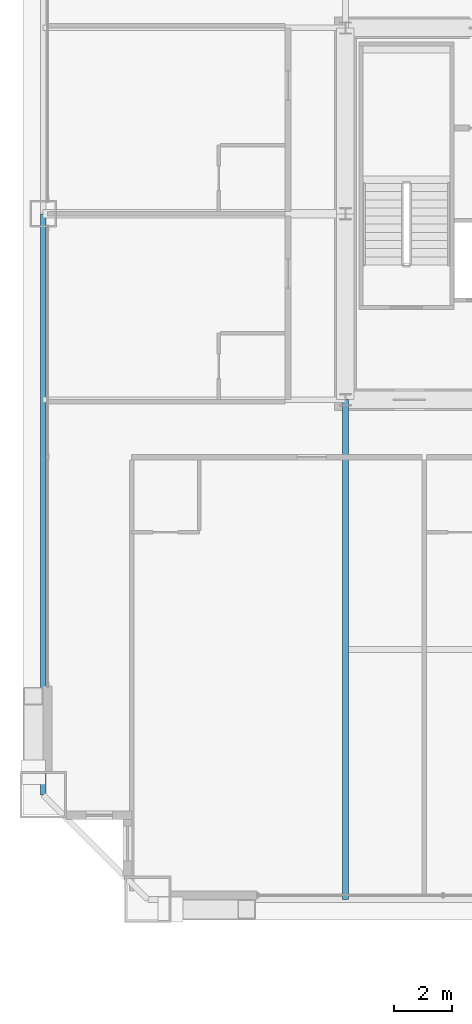
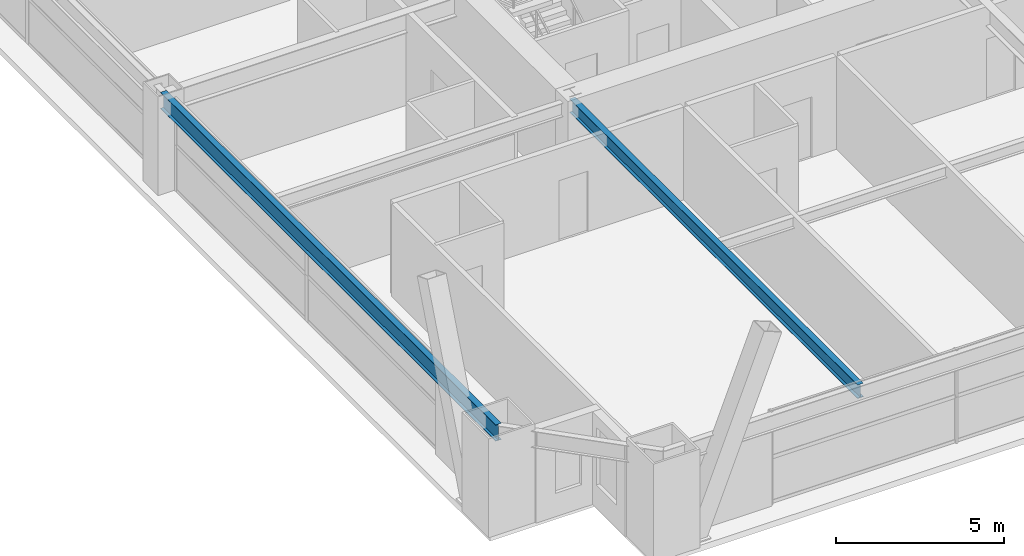
# One storey, part 8 of 43: 2 beams.
"""IFC4 building model written with IfcOpenShell, lengths in metres."""

from ifc_helpers import new_model, si_unit, direction, frame, origin, origin_2d, place, context, subcontext, project, spatial, i_section, extrude, source, transform, mapped, material, material_profile, profile_set, type_object, element, save


model = new_model("IFC4")

# Units and contexts
model_context = context("Model", 3, precision=1e-05, world=origin(), true_north=direction((0.0, 1.0)))
body_context = subcontext(model_context, "Body", "Model", "MODEL_VIEW")
ifc_project = project(units=[si_unit("LENGTHUNIT", "METRE"), si_unit("AREAUNIT", "SQUARE_METRE"), si_unit("VOLUMEUNIT", "CUBIC_METRE"), si_unit("PLANEANGLEUNIT", "RADIAN"), si_unit("MASSUNIT", "GRAM", prefix="KILO"), si_unit("THERMODYNAMICTEMPERATUREUNIT", "KELVIN"), si_unit("POWERUNIT", "WATT")], contexts=[model_context])

# Site, building, storey
site_placement = place(None, origin())
site = spatial("IfcSite", under=ifc_project, at=site_placement, CompositionType="ELEMENT")
building_placement = place(site_placement, origin())
building = spatial("IfcBuilding", under=site, at=building_placement, Name="Yuzanri Waterfront Tower", CompositionType="ELEMENT")
storey_placement = place(building_placement, frame((0.0, 0.0, 138.0)))
storey = spatial("IfcBuildingStorey", under=building, at=storey_placement, Name="L36", CompositionType="ELEMENT", Elevation=138.0)

# Beams
ifc_material_1 = material(Name="Steel Q355B", Category="steel")
ifc_material_profile_1 = material_profile(ifc_material_1, i_section(OverallWidth=0.199951171875, OverallDepth=0.60009765625, WebThickness=0.010986328125, FlangeThickness=0.01708984375, at=origin_2d()), Name="HN 600x200x11x17")
ifc_profile_set_1 = profile_set([ifc_material_profile_1], Name="Steel Q355B")
beam_type_1 = type_object("IfcBeamType", Name="Perimeter Spandrel Q355B HN 600x200", PredefinedType="SPANDREL", material=ifc_profile_set_1)
shared_shape_1 = source(origin(), body_context, "Body", "SweptSolid", [
    extrude(i_section(OverallWidth=0.199951171875, OverallDepth=0.60009765625, WebThickness=0.010986328125, FlangeThickness=0.01708984375, at=origin_2d()), origin(), (0.0, 0.0, 1.0), 20.0),
])
beam_1_placement = place(storey_placement, frame((13.39990234375, 25.800048828125, 3.080078125), z_axis=(0.0, -1.0, 0.0), x_axis=(1.0, 0.0, 0.0)))
element("IfcBeam", 1, at=beam_1_placement, inside=storey, type_object=beam_type_1, Name="L36 Perimeter Spandrel W2-W1", PredefinedType="SPANDREL", context=body_context, shape_type="MappedRepresentation", body=[
    mapped(shared_shape_1, transform((0.0, 0.0, 0.0), scale=1.0)),
])
ifc_material_2 = material(Name="Steel Q355B", Category="steel")
ifc_material_profile_2 = material_profile(ifc_material_2, i_section(OverallWidth=0.199951171875, OverallDepth=0.5, WebThickness=0.010009765625, FlangeThickness=0.01611328125, at=origin_2d()), Name="HN 500x200x10x16")
ifc_profile_set_2 = profile_set([ifc_material_profile_2], Name="Steel Q355B")
beam_type_2 = type_object("IfcBeamType", Name="Secondary Floor Beam Q355B HN 500x200", PredefinedType="BEAM", material=ifc_profile_set_2)
shared_shape_2 = source(origin(), body_context, "Body", "SweptSolid", [
    extrude(i_section(OverallWidth=0.199951171875, OverallDepth=0.5, WebThickness=0.010009765625, FlangeThickness=0.01611328125, at=origin_2d()), origin(), (0.0, 0.0, 1.0), 17.199951171875),
])
beam_2_placement = place(storey_placement, frame((23.800048828125, 19.39990234375, 3.1298828125), z_axis=(0.0, -1.0, 0.0), x_axis=(1.0, 0.0, 0.0)))
element("IfcBeam", 2, at=beam_2_placement, inside=storey, type_object=beam_type_2, Name="L36 South-West Core Line Beam", PredefinedType="BEAM", context=body_context, shape_type="MappedRepresentation", body=[
    mapped(shared_shape_2, transform((0.0, 0.0, 0.0), scale=1.0)),
])

save(model, "model.ifc")
